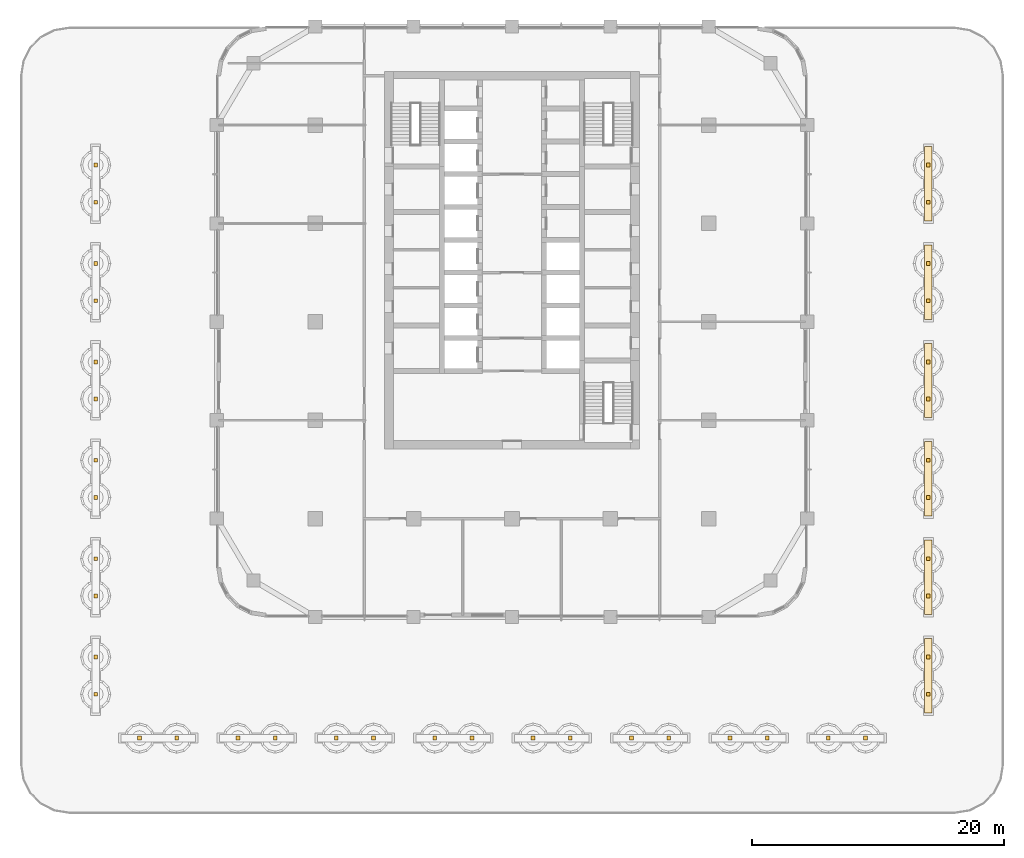
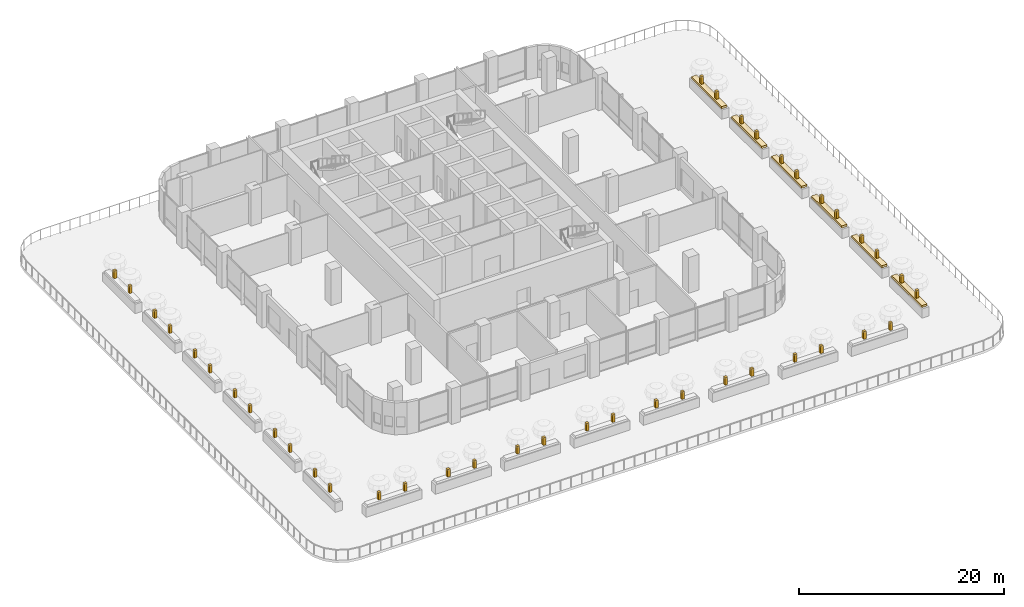
# One storey, part 25 of 31: 46 coverings.
"""IFC4 building model written with IfcOpenShell, lengths in metres."""

from ifc_helpers import new_model, si_unit, direction, frame, origin, origin_2d, place, context, subcontext, project, spatial, rectangle, extrude, material, layer, layer_set, type_object, element, save


model = new_model("IFC4")

# Units and contexts
model_context = context("Model", 3, precision=1e-05, world=origin(), true_north=direction((0.0, 1.0)))
body_context = subcontext(model_context, "Body", "Model", "MODEL_VIEW")
ifc_project = project(units=[si_unit("LENGTHUNIT", "METRE"), si_unit("AREAUNIT", "SQUARE_METRE"), si_unit("VOLUMEUNIT", "CUBIC_METRE"), si_unit("PLANEANGLEUNIT", "RADIAN"), si_unit("MASSUNIT", "GRAM", prefix="KILO")], contexts=[model_context])

# Site, building, storey
site_placement = place(None, origin())
site = spatial("IfcSite", under=ifc_project, at=site_placement, CompositionType="ELEMENT")
building_placement = place(site_placement, origin())
building = spatial("IfcBuilding", under=site, at=building_placement, Name="Ludao Terraces", CompositionType="ELEMENT")
storey_placement = place(building_placement, frame((0.0, 0.0, 15.0)))
storey = spatial("IfcBuildingStorey", under=building, at=storey_placement, Name="L03", CompositionType="ELEMENT", Elevation=15.0)

# Coverings
ifc_material_1 = material(Name="Planting")
ifc_layer_1 = layer(ifc_material_1, 0.60009765625)
ifc_layer_set_1 = layer_set([ifc_layer_1], Name="ENV Terrace planting bed 250")
covering_type_1 = type_object("IfcCoveringType", Name="ENV Terrace planting bed 250", PredefinedType="USERDEFINED", material=ifc_layer_set_1)
for number, where, z_axis, x_axis, name in (
    (1, (118.0, 36.949951171875, 1.10009765625), (0.0, 0.0, 1.0), (1.0, 0.0, 0.0), "Terrace planting bed L03-T15"),
    (2, (118.0, 44.75, 1.10009765625), (0.0, 0.0, 1.0), (1.0, 0.0, 0.0), "Terrace planting bed L03-T16"),
    (3, (118.0, 52.550048828125, 1.10009765625), (0.0, 0.0, 1.0), (1.0, 0.0, 0.0), "Terrace planting bed L03-T17"),
    (4, (118.0, 60.35009765625, 1.10009765625), (0.0, 0.0, 1.0), (1.0, 0.0, 0.0), "Terrace planting bed L03-T18"),
    (5, (118.0, 68.14990234375, 1.10009765625), (0.0, 0.0, 1.0), (1.0, 0.0, 0.0), "Terrace planting bed L03-T19"),
    (6, (118.0, 75.949951171875, 1.10009765625), (0.0, 0.0, 1.0), (1.0, 0.0, 0.0), "Terrace planting bed L03-T20"),
):
    element("IfcCovering", number, at=place(storey_placement, frame(where, z_axis=z_axis, x_axis=x_axis)), inside=storey, type_object=covering_type_1, Name=name, ObjectType="PLANTING", PredefinedType="USERDEFINED", context=body_context, shape_type="SweptSolid", body=[
        extrude(rectangle(XDim=0.60009765625, YDim=5.89990234375, at=origin_2d()), origin(), (0.0, 0.0, 1.0), 0.25),
    ])
ifc_material_2 = material(Name="Timber tree trunk", Category="wood")
ifc_layer_2 = layer(ifc_material_2, 0.300048828125)
ifc_layer_set_2 = layer_set([ifc_layer_2], Name="ENV Terrace tree trunk 300")
covering_type_2 = type_object("IfcCoveringType", Name="ENV Terrace tree trunk 300", PredefinedType="USERDEFINED", material=ifc_layer_set_2)
for number, where, z_axis, x_axis, name in (
    (7, (55.47509765625, 32.0, 1.35009765625), (0.0, 0.0, 1.0), (1.0, 0.0, 0.0), "Terrace tree trunk L03-T1.1"),
    (8, (58.425048828125, 32.0, 1.35009765625), (0.0, 0.0, 1.0), (1.0, 0.0, 0.0), "Terrace tree trunk L03-T1.2"),
    (9, (63.27490234375, 32.0, 1.35009765625), (0.0, 0.0, 1.0), (1.0, 0.0, 0.0), "Terrace tree trunk L03-T2.1"),
    (10, (66.22509765625, 32.0, 1.35009765625), (0.0, 0.0, 1.0), (1.0, 0.0, 0.0), "Terrace tree trunk L03-T2.2"),
    (11, (71.074951171875, 32.0, 1.35009765625), (0.0, 0.0, 1.0), (1.0, 0.0, 0.0), "Terrace tree trunk L03-T3.1"),
    (12, (74.02490234375, 32.0, 1.35009765625), (0.0, 0.0, 1.0), (1.0, 0.0, 0.0), "Terrace tree trunk L03-T3.2"),
    (13, (78.875, 32.0, 1.35009765625), (0.0, 0.0, 1.0), (1.0, 0.0, 0.0), "Terrace tree trunk L03-T4.1"),
    (14, (81.824951171875, 32.0, 1.35009765625), (0.0, 0.0, 1.0), (1.0, 0.0, 0.0), "Terrace tree trunk L03-T4.2"),
    (15, (86.675048828125, 32.0, 1.35009765625), (0.0, 0.0, 1.0), (1.0, 0.0, 0.0), "Terrace tree trunk L03-T5.1"),
    (16, (89.625, 32.0, 1.35009765625), (0.0, 0.0, 1.0), (1.0, 0.0, 0.0), "Terrace tree trunk L03-T5.2"),
    (17, (94.47509765625, 32.0, 1.35009765625), (0.0, 0.0, 1.0), (1.0, 0.0, 0.0), "Terrace tree trunk L03-T6.1"),
    (18, (97.425048828125, 32.0, 1.35009765625), (0.0, 0.0, 1.0), (1.0, 0.0, 0.0), "Terrace tree trunk L03-T6.2"),
    (19, (102.27490234375, 32.0, 1.35009765625), (0.0, 0.0, 1.0), (1.0, 0.0, 0.0), "Terrace tree trunk L03-T7.1"),
    (20, (105.22509765625, 32.0, 1.35009765625), (0.0, 0.0, 1.0), (1.0, 0.0, 0.0), "Terrace tree trunk L03-T7.2"),
    (21, (110.074951171875, 32.0, 1.35009765625), (0.0, 0.0, 1.0), (1.0, 0.0, 0.0), "Terrace tree trunk L03-T8.1"),
    (22, (113.02490234375, 32.0, 1.35009765625), (0.0, 0.0, 1.0), (1.0, 0.0, 0.0), "Terrace tree trunk L03-T8.2"),
    (23, (52.0, 35.47509765625, 1.35009765625), (0.0, 0.0, 1.0), (1.0, 0.0, 0.0), "Terrace tree trunk L03-T9.1"),
    (24, (52.0, 38.425048828125, 1.35009765625), (0.0, 0.0, 1.0), (1.0, 0.0, 0.0), "Terrace tree trunk L03-T9.2"),
    (25, (52.0, 43.27490234375, 1.35009765625), (0.0, 0.0, 1.0), (1.0, 0.0, 0.0), "Terrace tree trunk L03-T10.1"),
    (26, (52.0, 46.22509765625, 1.35009765625), (0.0, 0.0, 1.0), (1.0, 0.0, 0.0), "Terrace tree trunk L03-T10.2"),
    (27, (52.0, 51.074951171875, 1.35009765625), (0.0, 0.0, 1.0), (1.0, 0.0, 0.0), "Terrace tree trunk L03-T11.1"),
    (28, (52.0, 54.02490234375, 1.35009765625), (0.0, 0.0, 1.0), (1.0, 0.0, 0.0), "Terrace tree trunk L03-T11.2"),
    (29, (52.0, 58.875, 1.35009765625), (0.0, 0.0, 1.0), (1.0, 0.0, 0.0), "Terrace tree trunk L03-T12.1"),
    (30, (52.0, 61.824951171875, 1.35009765625), (0.0, 0.0, 1.0), (1.0, 0.0, 0.0), "Terrace tree trunk L03-T12.2"),
    (31, (52.0, 66.675048828125, 1.35009765625), (0.0, 0.0, 1.0), (1.0, 0.0, 0.0), "Terrace tree trunk L03-T13.1"),
    (32, (52.0, 69.625, 1.35009765625), (0.0, 0.0, 1.0), (1.0, 0.0, 0.0), "Terrace tree trunk L03-T13.2"),
    (33, (52.0, 74.47509765625, 1.35009765625), (0.0, 0.0, 1.0), (1.0, 0.0, 0.0), "Terrace tree trunk L03-T14.1"),
    (34, (52.0, 77.425048828125, 1.35009765625), (0.0, 0.0, 1.0), (1.0, 0.0, 0.0), "Terrace tree trunk L03-T14.2"),
    (35, (118.0, 35.47509765625, 1.35009765625), (0.0, 0.0, 1.0), (1.0, 0.0, 0.0), "Terrace tree trunk L03-T15.1"),
    (36, (118.0, 38.425048828125, 1.35009765625), (0.0, 0.0, 1.0), (1.0, 0.0, 0.0), "Terrace tree trunk L03-T15.2"),
    (37, (118.0, 43.27490234375, 1.35009765625), (0.0, 0.0, 1.0), (1.0, 0.0, 0.0), "Terrace tree trunk L03-T16.1"),
    (38, (118.0, 46.22509765625, 1.35009765625), (0.0, 0.0, 1.0), (1.0, 0.0, 0.0), "Terrace tree trunk L03-T16.2"),
    (39, (118.0, 51.074951171875, 1.35009765625), (0.0, 0.0, 1.0), (1.0, 0.0, 0.0), "Terrace tree trunk L03-T17.1"),
    (40, (118.0, 54.02490234375, 1.35009765625), (0.0, 0.0, 1.0), (1.0, 0.0, 0.0), "Terrace tree trunk L03-T17.2"),
    (41, (118.0, 58.875, 1.35009765625), (0.0, 0.0, 1.0), (1.0, 0.0, 0.0), "Terrace tree trunk L03-T18.1"),
    (42, (118.0, 61.824951171875, 1.35009765625), (0.0, 0.0, 1.0), (1.0, 0.0, 0.0), "Terrace tree trunk L03-T18.2"),
    (43, (118.0, 66.675048828125, 1.35009765625), (0.0, 0.0, 1.0), (1.0, 0.0, 0.0), "Terrace tree trunk L03-T19.1"),
    (44, (118.0, 69.625, 1.35009765625), (0.0, 0.0, 1.0), (1.0, 0.0, 0.0), "Terrace tree trunk L03-T19.2"),
    (45, (118.0, 74.47509765625, 1.35009765625), (0.0, 0.0, 1.0), (1.0, 0.0, 0.0), "Terrace tree trunk L03-T20.1"),
    (46, (118.0, 77.425048828125, 1.35009765625), (0.0, 0.0, 1.0), (1.0, 0.0, 0.0), "Terrace tree trunk L03-T20.2"),
):
    element("IfcCovering", number, at=place(storey_placement, frame(where, z_axis=z_axis, x_axis=x_axis)), inside=storey, type_object=covering_type_2, Name=name, ObjectType="PLANTING", PredefinedType="USERDEFINED", context=body_context, shape_type="SweptSolid", body=[
        extrude(rectangle(XDim=0.300048828125, YDim=0.300048828125, at=origin_2d()), origin(), (0.0, 0.0, 1.0), 0.89990234375),
    ])

save(model, "model.ifc")
